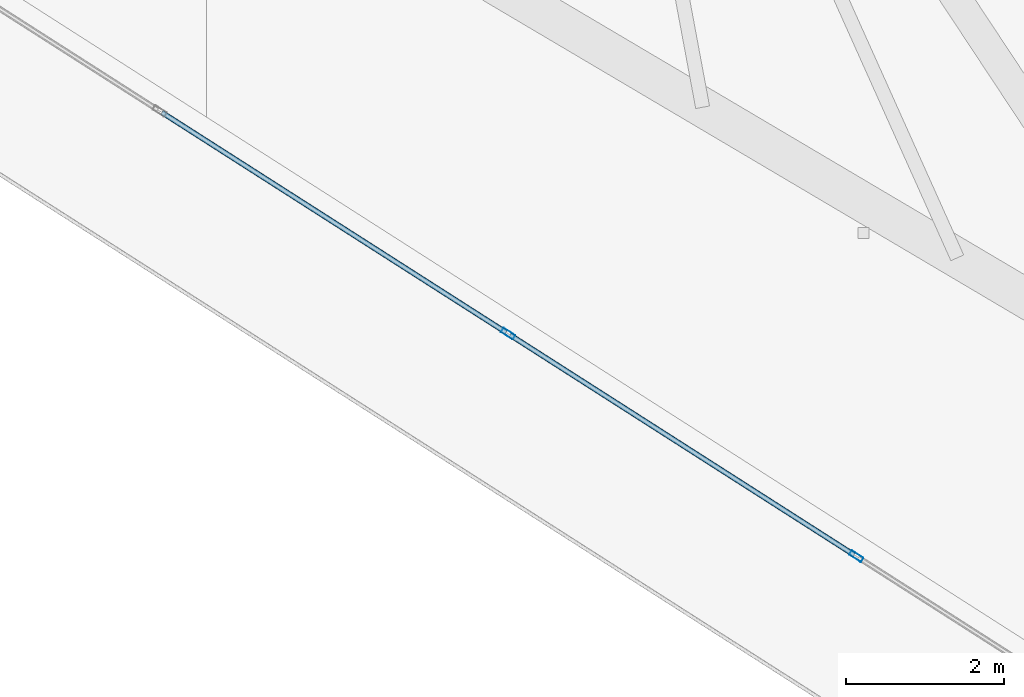
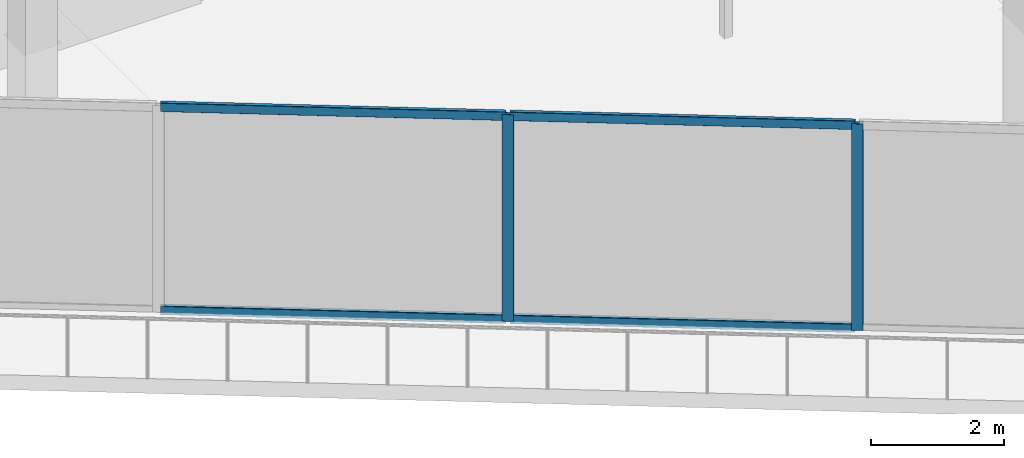
# One storey, part 3 of 33: 6 members, 1 element without a shape of its own.
"""IFC4 building model written with IfcOpenShell, lengths in metres."""

from ifc_helpers import new_model, si_unit, direction, frame, origin, origin_2d, place, context, subcontext, project, spatial, hollow_rectangle, extrude, material, layer, layer_set, material_profile, profile_set, type_object, element, aggregate, save


model = new_model("IFC4")

# Units and contexts
model_context = context("Model", 3, precision=1e-05, world=origin(), true_north=direction((0.0, 1.0)))
body_context = subcontext(model_context, "Body", "Model", "MODEL_VIEW")
ifc_project = project(units=[si_unit("LENGTHUNIT", "METRE"), si_unit("AREAUNIT", "SQUARE_METRE"), si_unit("VOLUMEUNIT", "CUBIC_METRE"), si_unit("PLANEANGLEUNIT", "RADIAN"), si_unit("MASSUNIT", "GRAM", prefix="KILO")], contexts=[model_context])

# Site, building, storey
site_placement = place(None, origin())
site = spatial("IfcSite", under=ifc_project, at=site_placement, CompositionType="ELEMENT")
building_placement = place(site_placement, origin())
building = spatial("IfcBuilding", under=site, at=building_placement, Name="Qorvath Tower", CompositionType="ELEMENT")
storey_placement = place(building_placement, frame((0.0, 0.0, 221.25)))
storey = spatial("IfcBuildingStorey", under=building, at=storey_placement, Name="L51", CompositionType="ELEMENT", Elevation=221.25)

# Curtain wall, members
ifc_material_1 = material(Name="Anodised aluminium and triple low-E glass", Category="aluminium")
ifc_layer = layer(ifc_material_1, 0.179931640625)
ifc_layer_set = layer_set([ifc_layer], Name="CW-SYS-3")
curtain_wall_type = type_object("IfcCurtainWallType", Name="CW-SYS-3", PredefinedType="NOTDEFINED", material=ifc_layer_set)
curtain_wall_placement = place(storey_placement, origin())
curtain_wall = element("IfcCurtainWall", 1, at=curtain_wall_placement, inside=storey, type_object=curtain_wall_type, Name="Curtain Wall CW-3 CW-T-L51-2.2", PredefinedType="NOTDEFINED")
ifc_material_2 = material(Name="Anodised aluminium 6063-T6", Category="aluminium")
ifc_material_profile_1 = material_profile(ifc_material_2, hollow_rectangle(XDim=0.06494140625, YDim=0.179931640625, WallThickness=0.00341796875, InnerFilletRadius=0.00341796875, OuterFilletRadius=0.007080078125, at=origin_2d()), Name="CWM 180x65")
ifc_profile_set_1 = profile_set([ifc_material_profile_1], Name="Anodised aluminium 6063-T6")
member_type_1 = type_object("IfcMemberType", Name="CWM-180", PredefinedType="MULLION", material=ifc_profile_set_1)
member_1_placement = place(storey_placement, frame((-26.122802734375, -20.48828125, 0.0), z_axis=(0.0, 0.0, 1.0), x_axis=(0.538534785809, 0.842603278224, 0.0)))
member_1 = element("IfcMember", 2, at=member_1_placement, type_object=member_type_1, Name="CW-3 mullion 6", PredefinedType="MULLION", context=body_context, shape_type="SweptSolid", body=[
    extrude(hollow_rectangle(XDim=0.06494140625, YDim=0.179931640625, WallThickness=0.00341796875, InnerFilletRadius=0.00341796875, OuterFilletRadius=0.007080078125, at=origin_2d()), origin(), (0.0, 0.0, 1.0), 3.780029296875),
])
member_2_placement = place(storey_placement, frame((-21.705810546875, -23.311279296875, 0.0), z_axis=(0.0, 0.0, 1.0), x_axis=(0.538534785809, 0.842603278224, 0.0)))
member_2 = element("IfcMember", 3, at=member_2_placement, type_object=member_type_1, Name="CW-3 mullion 7", PredefinedType="MULLION", context=body_context, shape_type="SweptSolid", body=[
    extrude(hollow_rectangle(XDim=0.06494140625, YDim=0.179931640625, WallThickness=0.00341796875, InnerFilletRadius=0.00341796875, OuterFilletRadius=0.007080078125, at=origin_2d()), origin(), (0.0, 0.0, 1.0), 3.780029296875),
])
ifc_material_3 = material(Name="Anodised aluminium 6063-T6", Category="aluminium")
ifc_material_profile_2 = material_profile(ifc_material_3, hollow_rectangle(XDim=0.06494140625, YDim=0.159912109375, WallThickness=0.00341796875, InnerFilletRadius=0.00341796875, OuterFilletRadius=0.007080078125, at=origin_2d()), Name="CWT 160x65")
ifc_profile_set_2 = profile_set([ifc_material_profile_2], Name="Anodised aluminium 6063-T6")
member_type_2 = type_object("IfcMemberType", Name="CWT-160", PredefinedType="USERDEFINED", material=ifc_profile_set_2)
member_3_placement = place(storey_placement, frame((-30.5126953125, -17.6826171875, 0.032470703125), z_axis=(0.842617210776, -0.538512986013, 0.0), x_axis=(0.538512986013, 0.842617210776, 0.0)))
member_3 = element("IfcMember", 4, at=member_3_placement, type_object=member_type_2, Name="CW-3 transom 5.1", ObjectType="TRANSOM", PredefinedType="USERDEFINED", context=body_context, shape_type="SweptSolid", body=[
    extrude(hollow_rectangle(XDim=0.06494140625, YDim=0.159912109375, WallThickness=0.00341796875, InnerFilletRadius=0.00341796875, OuterFilletRadius=0.007080078125, at=origin_2d()), origin(), (0.0, 0.0, 1.0), 5.177490234375),
])
member_4_placement = place(storey_placement, frame((-30.5126953125, -17.6826171875, 3.74755859375), z_axis=(0.842617210776, -0.538512986013, 0.0), x_axis=(0.538512986013, 0.842617210776, 0.0)))
member_4 = element("IfcMember", 5, at=member_4_placement, type_object=member_type_2, Name="CW-3 transom 5.2", ObjectType="TRANSOM", PredefinedType="USERDEFINED", context=body_context, shape_type="SweptSolid", body=[
    extrude(hollow_rectangle(XDim=0.06494140625, YDim=0.159912109375, WallThickness=0.00341796875, InnerFilletRadius=0.00341796875, OuterFilletRadius=0.007080078125, at=origin_2d()), origin(), (0.0, 0.0, 1.0), 5.177490234375),
])
member_5_placement = place(storey_placement, frame((-26.095458984375, -20.505859375, 0.032470703125), z_axis=(0.842603535115, -0.538534383871, 0.0), x_axis=(0.538534383871, 0.842603535115, 0.0)))
member_5 = element("IfcMember", 6, at=member_5_placement, type_object=member_type_2, Name="CW-3 transom 6.1", ObjectType="TRANSOM", PredefinedType="USERDEFINED", context=body_context, shape_type="SweptSolid", body=[
    extrude(hollow_rectangle(XDim=0.06494140625, YDim=0.159912109375, WallThickness=0.00341796875, InnerFilletRadius=0.00341796875, OuterFilletRadius=0.007080078125, at=origin_2d()), origin(), (0.0, 0.0, 1.0), 5.17724609375),
])
member_6_placement = place(storey_placement, frame((-26.095458984375, -20.505859375, 3.74755859375), z_axis=(0.842603535115, -0.538534383871, 0.0), x_axis=(0.538534383871, 0.842603535115, 0.0)))
member_6 = element("IfcMember", 7, at=member_6_placement, type_object=member_type_2, Name="CW-3 transom 6.2", ObjectType="TRANSOM", PredefinedType="USERDEFINED", context=body_context, shape_type="SweptSolid", body=[
    extrude(hollow_rectangle(XDim=0.06494140625, YDim=0.159912109375, WallThickness=0.00341796875, InnerFilletRadius=0.00341796875, OuterFilletRadius=0.007080078125, at=origin_2d()), origin(), (0.0, 0.0, 1.0), 5.17724609375),
])
aggregate(curtain_wall, [member_1, member_2, member_3, member_4, member_5, member_6])

save(model, "model.ifc")
